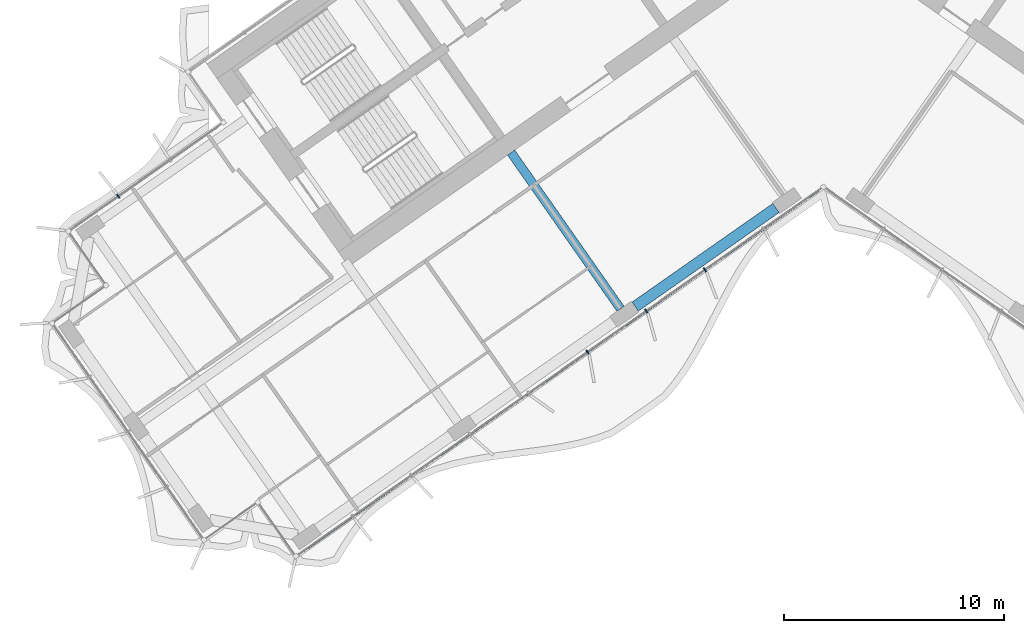
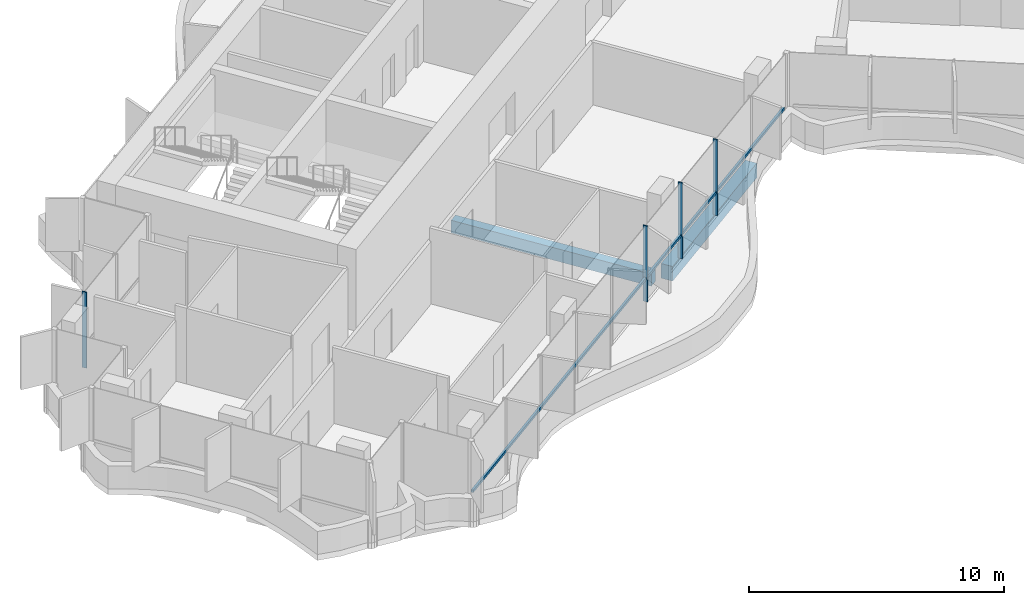
# One storey, part 3 of 21: 5 members, 2 beams, 1 element without a shape of its own.
"""IFC4 building model written with IfcOpenShell, lengths in metres."""

from ifc_helpers import new_model, si_unit, direction, frame, origin, origin_2d, place, context, subcontext, project, spatial, rectangle, extrude, material, material_profile, profile_set, type_object, element, aggregate, save


model = new_model("IFC4")

# Units and contexts
model_context = context("Model", 3, precision=1e-05, world=origin(), true_north=direction((0.0, 1.0)))
body_context = subcontext(model_context, "Body", "Model", "MODEL_VIEW")
ifc_project = project(units=[si_unit("LENGTHUNIT", "METRE"), si_unit("AREAUNIT", "SQUARE_METRE"), si_unit("VOLUMEUNIT", "CUBIC_METRE"), si_unit("PLANEANGLEUNIT", "RADIAN"), si_unit("MASSUNIT", "GRAM", prefix="KILO")], contexts=[model_context])

# Site, building, storey
site_placement = place(None, origin())
site = spatial("IfcSite", under=ifc_project, at=site_placement, CompositionType="ELEMENT")
building_placement = place(site_placement, origin())
building = spatial("IfcBuilding", under=site, at=building_placement, Name="Tel Ilan Convention Tower", CompositionType="ELEMENT")
storey_placement = place(building_placement, frame((0.0, 0.0, 210.0)))
storey = spatial("IfcBuildingStorey", under=building, at=storey_placement, Name="L49", CompositionType="ELEMENT", Elevation=210.0)

# Beams
ifc_material_1 = material(Name="Concrete C40/50", Category="concrete")
ifc_material_profile_1 = material_profile(ifc_material_1, rectangle(XDim=0.39990234375, YDim=0.60009765625, at=origin_2d()), Name="RC 400x600")
ifc_profile_set_1 = profile_set([ifc_material_profile_1], Name="Concrete C40/50")
beam_type_1 = type_object("IfcBeamType", Name="Beam RC 400x600 Concrete C40/50", PredefinedType="BEAM", material=ifc_profile_set_1)
beam_1_placement = place(storey_placement, frame((-9.209716796875, -18.229248046875, -0.580078125), z_axis=(-0.573574099654, 0.819153680457, 0.0), x_axis=(-0.819153680457, -0.573574099654, 0.0)))
element("IfcBeam", 1, at=beam_1_placement, inside=storey, type_object=beam_type_1, Name="L49 beam W-W-F2-core", PredefinedType="BEAM", context=body_context, shape_type="SweptSolid", body=[
    extrude(rectangle(XDim=0.39990234375, YDim=0.60009765625, at=origin_2d()), origin(), (0.0, 0.0, 1.0), 8.64990234375),
])
ifc_material_2 = material(Name="Concrete C40/50", Category="concrete")
ifc_material_profile_2 = material_profile(ifc_material_2, rectangle(XDim=0.5, YDim=0.699951171875, at=origin_2d()), Name="RC 500x700")
ifc_profile_set_2 = profile_set([ifc_material_profile_2], Name="Concrete C40/50")
beam_type_2 = type_object("IfcBeamType", Name="Beam RC 500x700 Concrete C40/50", PredefinedType="BEAM", material=ifc_profile_set_2)
beam_2_placement = place(storey_placement, frame((-2.15673828125, -13.656982421875, -0.6298828125), z_axis=(-0.819153977895, -0.573573674866, 0.0), x_axis=(0.573573674866, -0.819153977895, 0.0)))
element("IfcBeam", 2, at=beam_2_placement, inside=storey, type_object=beam_type_2, Name="L49 beam W-W-F1-W-F2", PredefinedType="BEAM", context=body_context, shape_type="SweptSolid", body=[
    extrude(rectangle(XDim=0.5, YDim=0.699951171875, at=origin_2d()), origin(), (0.0, 0.0, 1.0), 7.800048828125),
])

# Curtain wall, members
ifc_material_3 = material(Name="Aluminium, bronze anodised", Category="aluminium")
curtain_wall_type = type_object("IfcCurtainWallType", Name="CW4 STICK CURTAIN WALL, OFFICE TINTED GLASS", PredefinedType="NOTDEFINED", material=ifc_material_3)
curtain_wall_placement = place(storey_placement, origin())
curtain_wall = element("IfcCurtainWall", 3, at=curtain_wall_placement, inside=storey, type_object=curtain_wall_type, Name="Curtain wall CW4-38.02", PredefinedType="NOTDEFINED")
ifc_material_4 = material(Name="Aluminium, bronze anodised", Category="aluminium")
ifc_material_profile_3 = material_profile(ifc_material_4, rectangle(XDim=0.06005859375, YDim=0.199951171875, at=origin_2d()), Name="CW MULLION 60x200")
ifc_profile_set_3 = profile_set([ifc_material_profile_3], Name="Aluminium, bronze anodised")
member_type_1 = type_object("IfcMemberType", Name="CW MULLION 60x200", PredefinedType="MULLION", material=ifc_profile_set_3)
member_1_placement = place(storey_placement, frame((-31.991943359375, -13.123046875, 0.0), z_axis=(0.0, 0.0, 1.0), x_axis=(-0.819152044289, -0.573576436351, 0.0)))
member_1 = element("IfcMember", 4, at=member_1_placement, type_object=member_type_1, Name="Mullion", PredefinedType="MULLION", context=body_context, shape_type="SweptSolid", body=[
    extrude(rectangle(XDim=0.06005859375, YDim=0.199951171875, at=origin_2d()), origin(), (0.0, 0.0, 1.0), 3.6201171875),
])
member_2_placement = place(storey_placement, frame((-10.70556640625, -20.192138671875, 0.0), z_axis=(0.0, 0.0, 1.0), x_axis=(0.819152044289, 0.573576436351, 0.0)))
member_2 = element("IfcMember", 5, at=member_2_placement, type_object=member_type_1, Name="Mullion", PredefinedType="MULLION", context=body_context, shape_type="SweptSolid", body=[
    extrude(rectangle(XDim=0.06005859375, YDim=0.199951171875, at=origin_2d()), origin(), (0.0, 0.0, 1.0), 3.6201171875),
])
member_3_placement = place(storey_placement, frame((-8.04345703125, -18.328125, 0.0), z_axis=(0.0, 0.0, 1.0), x_axis=(0.819152044289, 0.573576436351, 0.0)))
member_3 = element("IfcMember", 6, at=member_3_placement, type_object=member_type_1, Name="Mullion", PredefinedType="MULLION", context=body_context, shape_type="SweptSolid", body=[
    extrude(rectangle(XDim=0.06005859375, YDim=0.199951171875, at=origin_2d()), origin(), (0.0, 0.0, 1.0), 3.6201171875),
])
member_4_placement = place(storey_placement, frame((-5.38134765625, -16.464111328125, 0.0), z_axis=(0.0, 0.0, 1.0), x_axis=(0.819152044289, 0.573576436351, 0.0)))
member_4 = element("IfcMember", 7, at=member_4_placement, type_object=member_type_1, Name="Mullion", PredefinedType="MULLION", context=body_context, shape_type="SweptSolid", body=[
    extrude(rectangle(XDim=0.06005859375, YDim=0.199951171875, at=origin_2d()), origin(), (0.0, 0.0, 1.0), 3.6201171875),
])
ifc_material_5 = material(Name="Aluminium, bronze anodised", Category="aluminium")
ifc_material_profile_4 = material_profile(ifc_material_5, rectangle(XDim=0.10009765625, YDim=0.1201171875, at=origin_2d()), Name="CW TRANSOM 100x120")
ifc_profile_set_4 = profile_set([ifc_material_profile_4], Name="Aluminium, bronze anodised")
member_type_2 = type_object("IfcMemberType", Name="CW TRANSOM 100x120", PredefinedType="USERDEFINED", material=ifc_profile_set_4)
member_5_placement = place(storey_placement, frame((-23.85205078125, -29.3974609375, 1.10009765625), z_axis=(0.819150008568, 0.573579343651, 0.0), x_axis=(-0.573579343651, 0.819150008568, 0.0)))
member_5 = element("IfcMember", 8, at=member_5_placement, type_object=member_type_2, Name="Transom", ObjectType="TRANSOM", PredefinedType="USERDEFINED", context=body_context, shape_type="SweptSolid", body=[
    extrude(rectangle(XDim=0.10009765625, YDim=0.1201171875, at=origin_2d()), origin(), (0.0, 0.0, 1.0), 28.84814453125),
])
aggregate(curtain_wall, [member_1, member_2, member_3, member_4, member_5])

save(model, "model.ifc")
